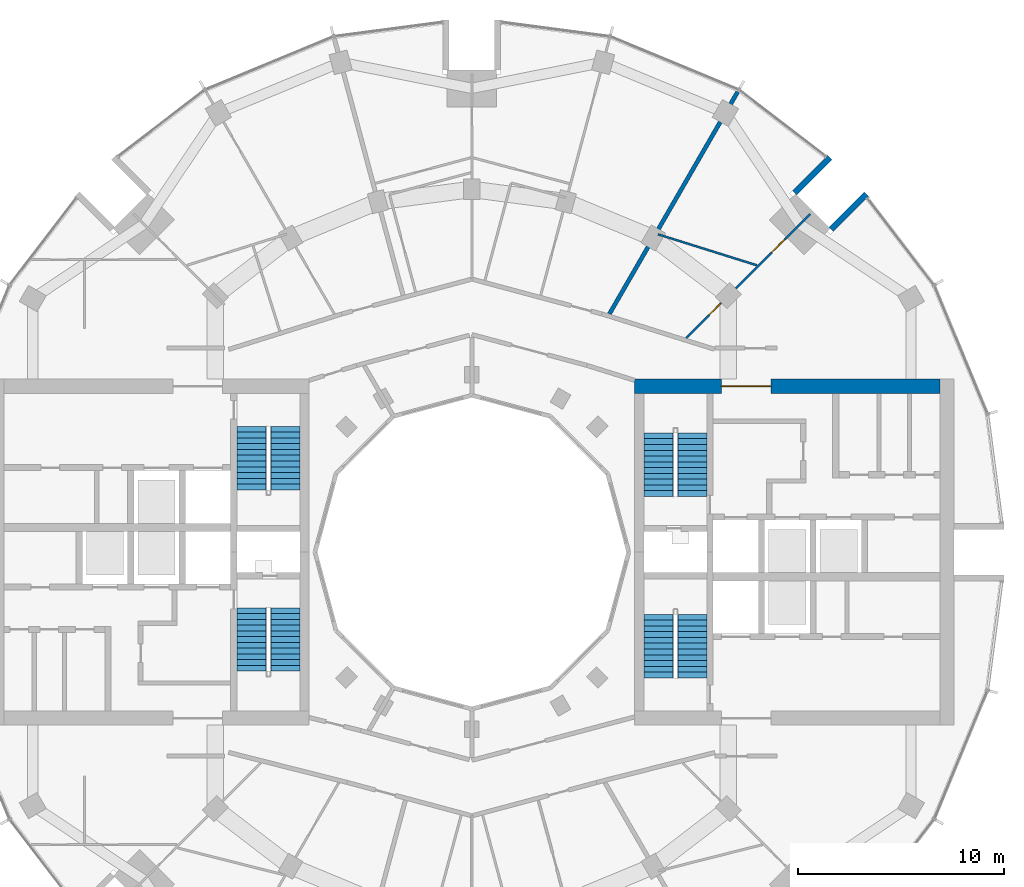
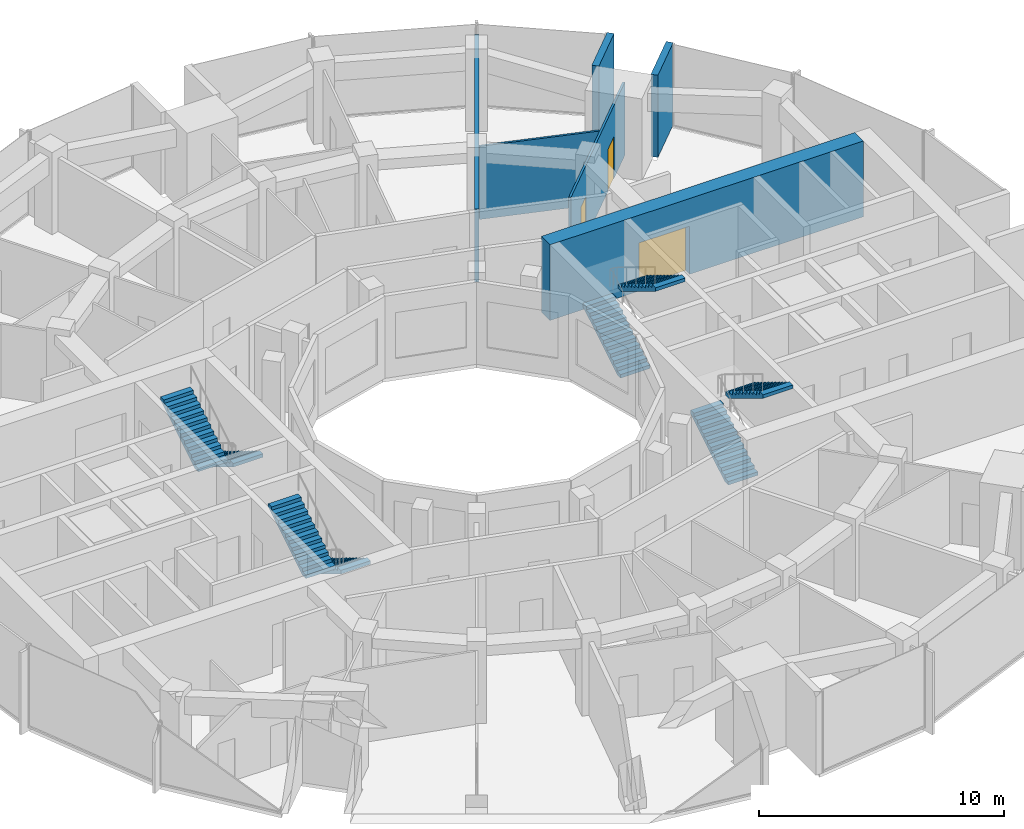
# One storey, part 13 of 15: 8 stair flights, 6 walls, 3 doors, 3 openings, 4 elements without a shape of their own.
"""IFC4 building model written with IfcOpenShell, lengths in metres."""

from ifc_helpers import new_model, si_unit, direction, frame, frame_2d, origin, place, context, subcontext, project, spatial, polyline, rectangle, outline, extrude, material, layer, layer_set, type_object, element, fill, aggregate, save


model = new_model("IFC4")

# Units and contexts
model_context = context("Model", 3, precision=1e-05, world=origin(), true_north=direction((0.0, 1.0)))
body_context = subcontext(model_context, "Body", "Model", "MODEL_VIEW")
ifc_project = project(units=[si_unit("LENGTHUNIT", "METRE"), si_unit("AREAUNIT", "SQUARE_METRE"), si_unit("VOLUMEUNIT", "CUBIC_METRE"), si_unit("PLANEANGLEUNIT", "RADIAN"), si_unit("MASSUNIT", "GRAM", prefix="KILO")], contexts=[model_context])

# Site, building, storey
site_placement = place(None, origin())
site = spatial("IfcSite", under=ifc_project, at=site_placement, CompositionType="ELEMENT")
building_placement = place(site_placement, origin())
building = spatial("IfcBuilding", under=site, at=building_placement, Name="Torre Brocal", CompositionType="ELEMENT")
storey_placement = place(building_placement, frame((0.0, 0.0, 198.699951171875)))
storey = spatial("IfcBuildingStorey", under=building, at=storey_placement, Name="L46", CompositionType="ELEMENT", Elevation=198.699951171875)

# Wall, opening, door
ifc_material_1 = material(Name="Concrete C70", Category="concrete")
ifc_layer_1 = layer(ifc_material_1, 0.699951171875)
ifc_layer_set_1 = layer_set([ifc_layer_1], Name="Concrete C70")
wall_type_1 = type_object("IfcWallType", Name="CORE WALL 700 C70", PredefinedType="SHEAR", material=ifc_layer_set_1)
wall_1_placement = place(storey_placement, frame((87.89990234375, 83.050048828125, 0.0), z_axis=(0.0, 0.0, 1.0), x_axis=(1.0, 0.0, 0.0)))
wall_1 = element("IfcWall", 1, at=wall_1_placement, inside=storey, type_object=wall_type_1, Name="Wall CW700-70", PredefinedType="SHEAR", context=body_context, shape_type="SweptSolid", body=[
    extrude(rectangle(XDim=14.800048828125, YDim=0.699951171875, at=frame_2d((7.39990234375, 0.0))), origin(), (0.0, 0.0, 1.0), 3.780029296875),
])
opening_1_placement = place(wall_1_placement, frame((4.199951171875, 0.0, 0.0)))
opening_1 = element("IfcOpeningElement", 2, at=opening_1_placement, cuts=wall_1, Name="Opening E-D34", PredefinedType="OPENING", context=body_context, shape_type="SweptSolid", body=[
    extrude(rectangle(XDim=2.39990234375, YDim=2.39990234375, at=frame_2d((1.199951171875, 1.199951171875))), frame((0.0, 0.35986328125, 0.0), z_axis=(0.0, -1.0, 0.0), x_axis=(1.0, 0.0, 0.0)), (0.0, 0.0, 1.0), 0.719970703125),
])
ifc_material_2 = material(Name="Steel A653", Category="steel")
door_type_1 = type_object("IfcDoorType", Name="DOUBLE FIRE DOOR FD90 2400X2400", OperationType="DOUBLE_DOOR_SINGLE_SWING", PredefinedType="DOOR", material=ifc_material_2)
door_1_placement = place(opening_1_placement, frame((2.39990234375, 0.0, 0.0), z_axis=(0.0, 0.0, 1.0), x_axis=(-1.0, 0.0, 0.0)))
door_1 = element("IfcDoor", 3, at=door_1_placement, inside=storey, type_object=door_type_1, Name="Door E-D34", OperationType="DOUBLE_DOOR_SINGLE_SWING", OverallHeight=2.39990234375, OverallWidth=2.39990234375, PredefinedType="DOOR", context=body_context, shape_type="SweptSolid", body=[
    extrude(rectangle(XDim=2.39990234375, YDim=2.39990234375, at=frame_2d((1.199951171875, 1.199951171875))), frame((0.0, 0.02490234375, 0.0), z_axis=(0.0, -1.0, 0.0), x_axis=(1.0, 0.0, 0.0)), (0.0, 0.0, 1.0), 0.050048828125),
])
fill(opening_1, door_1)

# Walls
ifc_material_3 = material(Name="Concrete C70", Category="concrete")
ifc_layer_2 = layer(ifc_material_3, 0.300048828125)
ifc_layer_set_2 = layer_set([ifc_layer_2], Name="Concrete C70")
wall_type_2 = type_object("IfcWallType", Name="NOTCH RETURN WALL 300 C70", PredefinedType="NOTDEFINED", material=ifc_layer_set_2)
for number, where, z_axis, x_axis, name in (
    (4, (97.43017578125, 90.662353515625, 0.0), (0.0, 0.0, 1.0), (0.707106781187, 0.707106781187, 0.0), "NOTCH RETURN WALL"),
    (5, (95.662353515625, 92.43017578125, 0.0), (0.0, 0.0, 1.0), (0.707106781187, 0.707106781187, 0.0), "NOTCH RETURN WALL"),
):
    element("IfcWall", number, at=place(storey_placement, frame(where, z_axis=z_axis, x_axis=x_axis)), inside=storey, type_object=wall_type_2, Name=name, PredefinedType="NOTDEFINED", context=body_context, shape_type="SweptSolid", body=[
        extrude(rectangle(XDim=2.415771484375, YDim=0.300048828125, at=frame_2d((1.2080078125, 0.0))), origin(), (0.0, 0.0, 1.0), 4.10009765625),
    ])
ifc_material_4 = material(Name="Gypsum board", Category="Gypsum")
ifc_layer_3 = layer(ifc_material_4, 0.10009765625)
ifc_layer_set_3 = layer_set([ifc_layer_3], Name="Gypsum board")
wall_type_3 = type_object("IfcWallType", Name="PARTITION 100", PredefinedType="PARTITIONING", material=ifc_layer_set_3)
wall_2_placement = place(storey_placement, frame((89.0263671875, 90.4189453125, 0.0), z_axis=(0.0, 0.0, 1.0), x_axis=(0.954217944154, -0.299112211476, 0.0)))
element("IfcWall", 6, at=wall_2_placement, inside=storey, type_object=wall_type_3, Name="BATHROOM WALL", PredefinedType="PARTITIONING", context=body_context, shape_type="SweptSolid", body=[
    extrude(rectangle(XDim=5.0302734375, YDim=0.10009765625, at=frame_2d((2.51513671875, 0.0))), origin(), (0.0, 0.0, 1.0), 3.650146484375),
])

# Wall, openings, doors
wall_3_placement = place(storey_placement, frame((90.397216796875, 85.392822265625, 0.0), z_axis=(0.0, 0.0, 1.0), x_axis=(0.707264750546, 0.706948776529, 0.0)))
wall_3 = element("IfcWall", 7, at=wall_3_placement, inside=storey, type_object=wall_type_3, Name="BATHROOM WALL", PredefinedType="PARTITIONING", context=body_context, shape_type="SweptSolid", body=[
    extrude(rectangle(XDim=8.499267578125, YDim=0.10009765625, at=frame_2d((4.24951171875, 0.0))), origin(), (0.0, 0.0, 1.0), 3.650146484375),
])
opening_2_placement = place(wall_3_placement, frame((5.856689453125, 0.0, 0.0)))
opening_2 = element("IfcOpeningElement", 8, at=opening_2_placement, cuts=wall_3, Name="Opening R04-D02", PredefinedType="OPENING", context=body_context, shape_type="SweptSolid", body=[
    extrude(rectangle(XDim=0.89990234375, YDim=2.10009765625, at=frame_2d((0.449951171875, 1.050048828125))), frame((0.0, 0.06005859375, 0.0), z_axis=(0.0, -1.0, 0.0), x_axis=(1.0, 0.0, 0.0)), (0.0, 0.0, 1.0), 0.1201171875),
])
opening_3_placement = place(wall_3_placement, frame((1.569091796875, 0.0, 0.0)))
opening_3 = element("IfcOpeningElement", 9, at=opening_3_placement, cuts=wall_3, Name="Opening R04-D03", PredefinedType="OPENING", context=body_context, shape_type="SweptSolid", body=[
    extrude(rectangle(XDim=0.800048828125, YDim=2.10009765625, at=frame_2d((0.39990234375, 1.050048828125))), frame((0.0, 0.06005859375, 0.0), z_axis=(0.0, -1.0, 0.0), x_axis=(1.0, 0.0, 0.0)), (0.0, 0.0, 1.0), 0.1201171875),
])
ifc_material_5 = material(Name="Timber", Category="wood")
door_type_2 = type_object("IfcDoorType", Name="BATHROOM DOOR 800X2100", OperationType="SINGLE_SWING_LEFT", PredefinedType="DOOR", material=ifc_material_5)
door_2_placement = place(opening_3_placement, origin())
door_2 = element("IfcDoor", 10, at=door_2_placement, inside=storey, type_object=door_type_2, Name="R04-D03", OperationType="SINGLE_SWING_LEFT", OverallHeight=2.10009765625, OverallWidth=0.800048828125, PredefinedType="DOOR", context=body_context, shape_type="SweptSolid", body=[
    extrude(rectangle(XDim=0.800048828125, YDim=2.10009765625, at=frame_2d((0.39990234375, 1.050048828125))), frame((0.0, 0.02490234375, 0.0), z_axis=(0.0, -1.0, 0.0), x_axis=(1.0, 0.0, 0.0)), (0.0, 0.0, 1.0), 0.050048828125),
])
fill(opening_3, door_2)
ifc_material_6 = material(Name="Timber", Category="wood")
door_type_3 = type_object("IfcDoorType", Name="ROOM DOOR 900X2100", OperationType="SINGLE_SWING_LEFT", PredefinedType="DOOR", material=ifc_material_6)
door_3_placement = place(opening_2_placement, frame((0.89990234375, 0.0, 0.0), z_axis=(0.0, 0.0, 1.0), x_axis=(-1.0, 0.0, 0.0)))
door_3 = element("IfcDoor", 11, at=door_3_placement, inside=storey, type_object=door_type_3, Name="R04-D02", OperationType="SINGLE_SWING_LEFT", OverallHeight=2.10009765625, OverallWidth=0.89990234375, PredefinedType="DOOR", context=body_context, shape_type="SweptSolid", body=[
    extrude(rectangle(XDim=0.89990234375, YDim=2.10009765625, at=frame_2d((0.449951171875, 1.050048828125))), frame((0.0, 0.02490234375, 0.0), z_axis=(0.0, -1.0, 0.0), x_axis=(1.0, 0.0, 0.0)), (0.0, 0.0, 1.0), 0.050048828125),
])
fill(opening_2, door_3)

# Wall
ifc_material_7 = material(Name="Gypsum board", Category="Gypsum")
ifc_layer_4 = layer(ifc_material_7, 0.199951171875)
ifc_layer_set_4 = layer_set([ifc_layer_4], Name="Gypsum board")
wall_type_4 = type_object("IfcWallType", Name="PARTITION 200 EI60", PredefinedType="PARTITIONING", material=ifc_layer_set_4)
wall_4_placement = place(storey_placement, frame((86.676025390625, 86.56298828125, 0.0), z_axis=(0.0, 0.0, 1.0), x_axis=(0.500124310661, 0.865953621094, 0.0)))
element("IfcWall", 12, at=wall_4_placement, inside=storey, type_object=wall_type_4, Name="BATHROOM WALL", PredefinedType="PARTITIONING", context=body_context, shape_type="SweptSolid", body=[
    extrude(rectangle(XDim=12.445556640625, YDim=0.199951171875, at=frame_2d((6.22265625, 0.0))), origin(), (0.0, 0.0, 1.0), 3.650146484375),
])

# Stair, stair flights
ifc_material_8 = material(Name="Concrete C50", Category="concrete")
stair_type = type_object("IfcStairType", Name="EXIT STAIR", PredefinedType="HALF_TURN_STAIR", material=ifc_material_8)
stair_1_placement = place(storey_placement, origin())
stair_1 = element("IfcStair", 13, at=stair_1_placement, inside=storey, type_object=stair_type, Name="EXIT STAIR ST1", PredefinedType="HALF_TURN_STAIR")
ifc_material_9 = material(Name="Concrete C50", Category="concrete")
ifc_layer_5 = layer(ifc_material_9, 0.14990234375)
ifc_layer_set_5 = layer_set([ifc_layer_5], Name="Concrete C50")
stair_flight_type = type_object("IfcStairFlightType", Name="STAIR FLIGHT", PredefinedType="STRAIGHT", material=ifc_layer_set_5)
stair_flight_1_placement = place(storey_placement, frame((89.050048828125, 77.699951171875, 0.0), z_axis=(0.0, 0.0, 1.0), x_axis=(0.0, 1.0, 0.0)))
stair_flight_1 = element("IfcStairFlight", 14, at=stair_flight_1_placement, type_object=stair_flight_type, Name="ST1 flight 1", NumberOfRisers=12, NumberOfTreads=11, PredefinedType="STRAIGHT", RiserHeight=0.170833333, TreadLength=0.28, context=body_context, shape_type="SweptSolid", body=[
    extrude(outline(polyline([(0.0, 0.0), (0.0, 0.1708984375), (0.280029296875, 0.1708984375), (0.280029296875, 0.341552734375), (0.56005859375, 0.341552734375), (0.56005859375, 0.512451171875), (0.840087890625, 0.512451171875), (0.840087890625, 0.683349609375), (1.1201171875, 0.683349609375), (1.1201171875, 0.854248046875), (1.39990234375, 0.854248046875), (1.39990234375, 1.02490234375), (1.679931640625, 1.02490234375), (1.679931640625, 1.19580078125), (1.9599609375, 1.19580078125), (1.9599609375, 1.36669921875), (2.239990234375, 1.36669921875), (2.239990234375, 1.53759765625), (2.52001953125, 1.53759765625), (2.52001953125, 1.708251953125), (2.800048828125, 1.708251953125), (2.800048828125, 1.879150390625), (3.080078125, 1.879150390625), (3.080078125, 2.050048828125), (3.080078125, 1.70361328125), (0.287841796875, 0.0), (0.0, 0.0)])), frame((0.0, 0.699951171875, 0.0), z_axis=(0.0, -1.0, 0.0), x_axis=(1.0, 0.0, 0.0)), (0.0, 0.0, 1.0), 1.39990234375),
])
stair_flight_2_placement = place(storey_placement, frame((90.699951171875, 80.780029296875, 2.050048828125), z_axis=(0.0, 0.0, 1.0), x_axis=(0.0, -1.0, 0.0)))
stair_flight_2 = element("IfcStairFlight", 15, at=stair_flight_2_placement, type_object=stair_flight_type, Name="ST1 flight 2", NumberOfRisers=12, NumberOfTreads=11, PredefinedType="STRAIGHT", RiserHeight=0.170833333, TreadLength=0.28, context=body_context, shape_type="SweptSolid", body=[
    extrude(outline(polyline([(0.0, 0.0), (0.0, 0.1708984375), (0.280029296875, 0.1708984375), (0.280029296875, 0.341552734375), (0.56005859375, 0.341552734375), (0.56005859375, 0.512451171875), (0.840087890625, 0.512451171875), (0.840087890625, 0.683349609375), (1.1201171875, 0.683349609375), (1.1201171875, 0.854248046875), (1.39990234375, 0.854248046875), (1.39990234375, 1.02490234375), (1.679931640625, 1.02490234375), (1.679931640625, 1.19580078125), (1.9599609375, 1.19580078125), (1.9599609375, 1.36669921875), (2.239990234375, 1.36669921875), (2.239990234375, 1.53759765625), (2.52001953125, 1.53759765625), (2.52001953125, 1.708251953125), (2.800048828125, 1.708251953125), (2.800048828125, 1.879150390625), (3.080078125, 1.879150390625), (3.080078125, 2.050048828125), (3.080078125, 1.70361328125), (0.287841796875, 0.0), (0.0, 0.0)])), frame((0.0, 0.699951171875, 0.0), z_axis=(0.0, -1.0, 0.0), x_axis=(1.0, 0.0, 0.0)), (0.0, 0.0, 1.0), 1.39990234375),
])
aggregate(stair_1, [stair_flight_1, stair_flight_2])

stair_2_placement = place(storey_placement, origin())
stair_2 = element("IfcStair", 16, at=stair_2_placement, inside=storey, type_object=stair_type, Name="EXIT STAIR ST2", PredefinedType="HALF_TURN_STAIR")
stair_flight_3_placement = place(storey_placement, frame((89.050048828125, 68.89990234375, 0.0), z_axis=(0.0, 0.0, 1.0), x_axis=(0.0, 1.0, 0.0)))
stair_flight_3 = element("IfcStairFlight", 17, at=stair_flight_3_placement, type_object=stair_flight_type, Name="ST2 flight 1", NumberOfRisers=12, NumberOfTreads=11, PredefinedType="STRAIGHT", RiserHeight=0.170833333, TreadLength=0.28, context=body_context, shape_type="SweptSolid", body=[
    extrude(outline(polyline([(0.0, 0.0), (0.0, 0.1708984375), (0.280029296875, 0.1708984375), (0.280029296875, 0.341552734375), (0.56005859375, 0.341552734375), (0.56005859375, 0.512451171875), (0.840087890625, 0.512451171875), (0.840087890625, 0.683349609375), (1.1201171875, 0.683349609375), (1.1201171875, 0.854248046875), (1.39990234375, 0.854248046875), (1.39990234375, 1.02490234375), (1.679931640625, 1.02490234375), (1.679931640625, 1.19580078125), (1.9599609375, 1.19580078125), (1.9599609375, 1.36669921875), (2.239990234375, 1.36669921875), (2.239990234375, 1.53759765625), (2.52001953125, 1.53759765625), (2.52001953125, 1.708251953125), (2.800048828125, 1.708251953125), (2.800048828125, 1.879150390625), (3.080078125, 1.879150390625), (3.080078125, 2.050048828125), (3.080078125, 1.70361328125), (0.287841796875, 0.0), (0.0, 0.0)])), frame((0.0, 0.699951171875, 0.0), z_axis=(0.0, -1.0, 0.0), x_axis=(1.0, 0.0, 0.0)), (0.0, 0.0, 1.0), 1.39990234375),
])
stair_flight_4_placement = place(storey_placement, frame((90.699951171875, 71.97998046875, 2.050048828125), z_axis=(0.0, 0.0, 1.0), x_axis=(0.0, -1.0, 0.0)))
stair_flight_4 = element("IfcStairFlight", 18, at=stair_flight_4_placement, type_object=stair_flight_type, Name="ST2 flight 2", NumberOfRisers=12, NumberOfTreads=11, PredefinedType="STRAIGHT", RiserHeight=0.170833333, TreadLength=0.28, context=body_context, shape_type="SweptSolid", body=[
    extrude(outline(polyline([(0.0, 0.0), (0.0, 0.1708984375), (0.280029296875, 0.1708984375), (0.280029296875, 0.341552734375), (0.56005859375, 0.341552734375), (0.56005859375, 0.512451171875), (0.840087890625, 0.512451171875), (0.840087890625, 0.683349609375), (1.1201171875, 0.683349609375), (1.1201171875, 0.854248046875), (1.39990234375, 0.854248046875), (1.39990234375, 1.02490234375), (1.679931640625, 1.02490234375), (1.679931640625, 1.19580078125), (1.9599609375, 1.19580078125), (1.9599609375, 1.36669921875), (2.239990234375, 1.36669921875), (2.239990234375, 1.53759765625), (2.52001953125, 1.53759765625), (2.52001953125, 1.708251953125), (2.800048828125, 1.708251953125), (2.800048828125, 1.879150390625), (3.080078125, 1.879150390625), (3.080078125, 2.050048828125), (3.080078125, 1.70361328125), (0.287841796875, 0.0), (0.0, 0.0)])), frame((0.0, 0.699951171875, 0.0), z_axis=(0.0, -1.0, 0.0), x_axis=(1.0, 0.0, 0.0)), (0.0, 0.0, 1.0), 1.39990234375),
])
aggregate(stair_2, [stair_flight_3, stair_flight_4])

stair_3_placement = place(storey_placement, origin())
stair_3 = element("IfcStair", 19, at=stair_3_placement, inside=storey, type_object=stair_type, Name="EXIT STAIR ST3", PredefinedType="HALF_TURN_STAIR")
stair_flight_5_placement = place(storey_placement, frame((70.949951171875, 72.300048828125, 0.0), z_axis=(0.0, 0.0, 1.0), x_axis=(0.0, -1.0, 0.0)))
stair_flight_5 = element("IfcStairFlight", 20, at=stair_flight_5_placement, type_object=stair_flight_type, Name="ST3 flight 1", NumberOfRisers=12, NumberOfTreads=11, PredefinedType="STRAIGHT", RiserHeight=0.170833333, TreadLength=0.28, context=body_context, shape_type="SweptSolid", body=[
    extrude(outline(polyline([(0.0, 0.0), (0.0, 0.1708984375), (0.280029296875, 0.1708984375), (0.280029296875, 0.341552734375), (0.56005859375, 0.341552734375), (0.56005859375, 0.512451171875), (0.840087890625, 0.512451171875), (0.840087890625, 0.683349609375), (1.1201171875, 0.683349609375), (1.1201171875, 0.854248046875), (1.39990234375, 0.854248046875), (1.39990234375, 1.02490234375), (1.679931640625, 1.02490234375), (1.679931640625, 1.19580078125), (1.9599609375, 1.19580078125), (1.9599609375, 1.36669921875), (2.239990234375, 1.36669921875), (2.239990234375, 1.53759765625), (2.52001953125, 1.53759765625), (2.52001953125, 1.708251953125), (2.800048828125, 1.708251953125), (2.800048828125, 1.879150390625), (3.080078125, 1.879150390625), (3.080078125, 2.050048828125), (3.080078125, 1.70361328125), (0.287841796875, 0.0), (0.0, 0.0)])), frame((0.0, 0.699951171875, 0.0), z_axis=(0.0, -1.0, 0.0), x_axis=(1.0, 0.0, 0.0)), (0.0, 0.0, 1.0), 1.39990234375),
])
stair_flight_6_placement = place(storey_placement, frame((69.300048828125, 69.219970703125, 2.050048828125), z_axis=(0.0, 0.0, 1.0), x_axis=(0.0, 1.0, 0.0)))
stair_flight_6 = element("IfcStairFlight", 21, at=stair_flight_6_placement, type_object=stair_flight_type, Name="ST3 flight 2", NumberOfRisers=12, NumberOfTreads=11, PredefinedType="STRAIGHT", RiserHeight=0.170833333, TreadLength=0.28, context=body_context, shape_type="SweptSolid", body=[
    extrude(outline(polyline([(0.0, 0.0), (0.0, 0.1708984375), (0.280029296875, 0.1708984375), (0.280029296875, 0.341552734375), (0.56005859375, 0.341552734375), (0.56005859375, 0.512451171875), (0.840087890625, 0.512451171875), (0.840087890625, 0.683349609375), (1.1201171875, 0.683349609375), (1.1201171875, 0.854248046875), (1.39990234375, 0.854248046875), (1.39990234375, 1.02490234375), (1.679931640625, 1.02490234375), (1.679931640625, 1.19580078125), (1.9599609375, 1.19580078125), (1.9599609375, 1.36669921875), (2.239990234375, 1.36669921875), (2.239990234375, 1.53759765625), (2.52001953125, 1.53759765625), (2.52001953125, 1.708251953125), (2.800048828125, 1.708251953125), (2.800048828125, 1.879150390625), (3.080078125, 1.879150390625), (3.080078125, 2.050048828125), (3.080078125, 1.70361328125), (0.287841796875, 0.0), (0.0, 0.0)])), frame((0.0, 0.699951171875, 0.0), z_axis=(0.0, -1.0, 0.0), x_axis=(1.0, 0.0, 0.0)), (0.0, 0.0, 1.0), 1.39990234375),
])
aggregate(stair_3, [stair_flight_5, stair_flight_6])

stair_4_placement = place(storey_placement, origin())
stair_4 = element("IfcStair", 22, at=stair_4_placement, inside=storey, type_object=stair_type, Name="EXIT STAIR ST4", PredefinedType="HALF_TURN_STAIR")
stair_flight_7_placement = place(storey_placement, frame((70.949951171875, 81.10009765625, 0.0), z_axis=(0.0, 0.0, 1.0), x_axis=(0.0, -1.0, 0.0)))
stair_flight_7 = element("IfcStairFlight", 23, at=stair_flight_7_placement, type_object=stair_flight_type, Name="ST4 flight 1", NumberOfRisers=12, NumberOfTreads=11, PredefinedType="STRAIGHT", RiserHeight=0.170833333, TreadLength=0.28, context=body_context, shape_type="SweptSolid", body=[
    extrude(outline(polyline([(0.0, 0.0), (0.0, 0.1708984375), (0.280029296875, 0.1708984375), (0.280029296875, 0.341552734375), (0.56005859375, 0.341552734375), (0.56005859375, 0.512451171875), (0.840087890625, 0.512451171875), (0.840087890625, 0.683349609375), (1.1201171875, 0.683349609375), (1.1201171875, 0.854248046875), (1.39990234375, 0.854248046875), (1.39990234375, 1.02490234375), (1.679931640625, 1.02490234375), (1.679931640625, 1.19580078125), (1.9599609375, 1.19580078125), (1.9599609375, 1.36669921875), (2.239990234375, 1.36669921875), (2.239990234375, 1.53759765625), (2.52001953125, 1.53759765625), (2.52001953125, 1.708251953125), (2.800048828125, 1.708251953125), (2.800048828125, 1.879150390625), (3.080078125, 1.879150390625), (3.080078125, 2.050048828125), (3.080078125, 1.70361328125), (0.287841796875, 0.0), (0.0, 0.0)])), frame((0.0, 0.699951171875, 0.0), z_axis=(0.0, -1.0, 0.0), x_axis=(1.0, 0.0, 0.0)), (0.0, 0.0, 1.0), 1.39990234375),
])
stair_flight_8_placement = place(storey_placement, frame((69.300048828125, 78.02001953125, 2.050048828125), z_axis=(0.0, 0.0, 1.0), x_axis=(0.0, 1.0, 0.0)))
stair_flight_8 = element("IfcStairFlight", 24, at=stair_flight_8_placement, type_object=stair_flight_type, Name="ST4 flight 2", NumberOfRisers=12, NumberOfTreads=11, PredefinedType="STRAIGHT", RiserHeight=0.170833333, TreadLength=0.28, context=body_context, shape_type="SweptSolid", body=[
    extrude(outline(polyline([(0.0, 0.0), (0.0, 0.1708984375), (0.280029296875, 0.1708984375), (0.280029296875, 0.341552734375), (0.56005859375, 0.341552734375), (0.56005859375, 0.512451171875), (0.840087890625, 0.512451171875), (0.840087890625, 0.683349609375), (1.1201171875, 0.683349609375), (1.1201171875, 0.854248046875), (1.39990234375, 0.854248046875), (1.39990234375, 1.02490234375), (1.679931640625, 1.02490234375), (1.679931640625, 1.19580078125), (1.9599609375, 1.19580078125), (1.9599609375, 1.36669921875), (2.239990234375, 1.36669921875), (2.239990234375, 1.53759765625), (2.52001953125, 1.53759765625), (2.52001953125, 1.708251953125), (2.800048828125, 1.708251953125), (2.800048828125, 1.879150390625), (3.080078125, 1.879150390625), (3.080078125, 2.050048828125), (3.080078125, 1.70361328125), (0.287841796875, 0.0), (0.0, 0.0)])), frame((0.0, 0.699951171875, 0.0), z_axis=(0.0, -1.0, 0.0), x_axis=(1.0, 0.0, 0.0)), (0.0, 0.0, 1.0), 1.39990234375),
])
aggregate(stair_4, [stair_flight_7, stair_flight_8])

save(model, "model.ifc")
